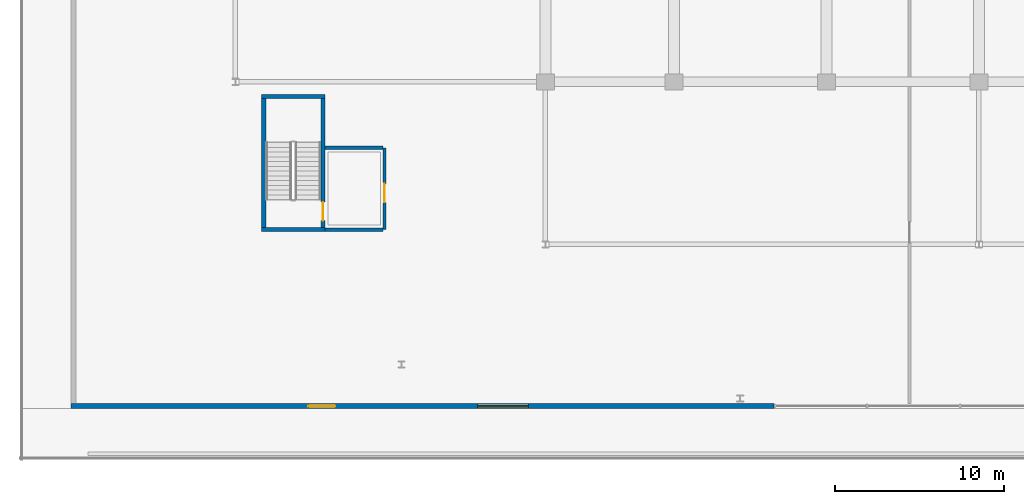
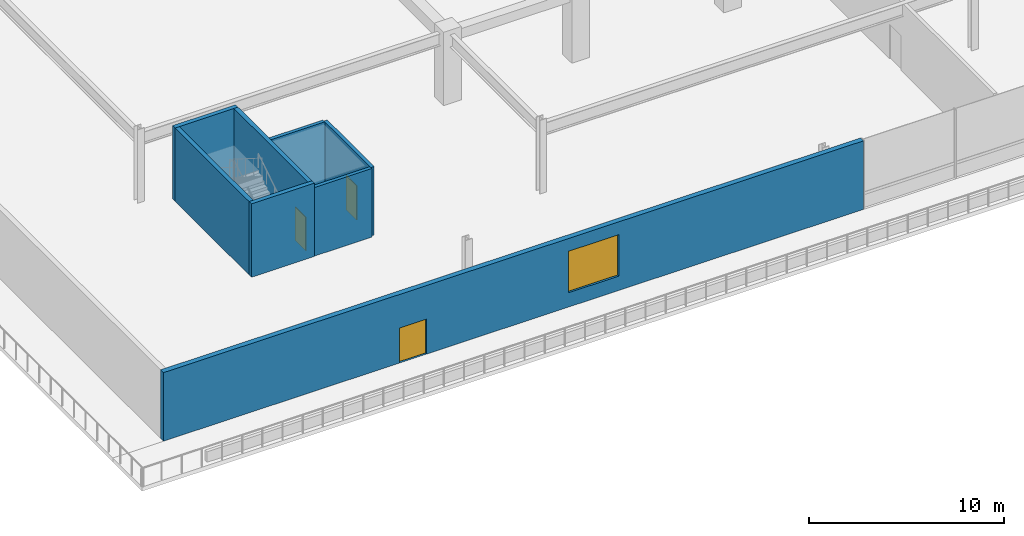
# One storey, part 18 of 45: 8 walls, 3 doors, 1 window, 4 openings.
"""IFC4 building model written with IfcOpenShell, lengths in metres."""

from ifc_helpers import new_model, si_unit, direction, frame, frame_2d, origin, place, context, subcontext, project, spatial, rectangle, extrude, material, layer, layer_set, type_object, element, fill, save


model = new_model("IFC4")

# Units and contexts
model_context = context("Model", 3, precision=1e-05, world=origin(), true_north=direction((0.0, 1.0)))
body_context = subcontext(model_context, "Body", "Model", "MODEL_VIEW")
ifc_project = project(units=[si_unit("LENGTHUNIT", "METRE"), si_unit("AREAUNIT", "SQUARE_METRE"), si_unit("VOLUMEUNIT", "CUBIC_METRE"), si_unit("PLANEANGLEUNIT", "RADIAN"), si_unit("MASSUNIT", "GRAM", prefix="KILO")], contexts=[model_context])

# Site, building, storey
site_placement = place(None, origin())
site = spatial("IfcSite", under=ifc_project, at=site_placement, CompositionType="ELEMENT")
building_placement = place(site_placement, origin())
building = spatial("IfcBuilding", under=site, at=building_placement, Name="Korimba Cascade Residences", CompositionType="ELEMENT")
storey_placement = place(building_placement, frame((0.0, 0.0, 5.39990234375)))
storey = spatial("IfcBuildingStorey", under=building, at=storey_placement, Name="L01", CompositionType="ELEMENT", Elevation=5.39990234375)

# Wall, openings, door, window
ifc_material_1 = material(Name="Precast concrete C40/50", Category="concrete")
ifc_layer_1 = layer(ifc_material_1, 0.300048828125)
ifc_layer_set_1 = layer_set([ifc_layer_1], Name="Precast concrete C40/50")
wall_type_1 = type_object("IfcWallType", Name="EW-STONE-300", PredefinedType="STANDARD", material=ifc_layer_set_1)
wall_1_placement = place(storey_placement, frame((46.5, -23.35009765625, 0.0), z_axis=(0.0, 0.0, 1.0), x_axis=(1.0, 0.0, 0.0)))
wall_1 = element("IfcWall", 1, at=wall_1_placement, inside=storey, type_object=wall_type_1, Name="L01 South-West Podium Wall", PredefinedType="STANDARD", context=body_context, shape_type="SweptSolid", body=[
    extrude(rectangle(XDim=41.5, YDim=0.300048828125, at=frame_2d((20.75, 0.0))), origin(), (0.0, 0.0, 1.0), 4.300048828125),
])
opening_1_placement = place(wall_1_placement, frame((14.0, 0.0, 0.0)))
opening_1 = element("IfcOpeningElement", 2, at=opening_1_placement, cuts=wall_1, Name="Opening D-TR1", PredefinedType="OPENING", context=body_context, shape_type="SweptSolid", body=[
    extrude(rectangle(XDim=1.60009765625, YDim=2.199951171875, at=frame_2d((0.800048828125, 1.10009765625))), frame((0.0, 0.16015625, 0.0), z_axis=(0.0, -1.0, 0.0), x_axis=(1.0, 0.0, 0.0)), (0.0, 0.0, 1.0), 0.320068359375),
])
opening_2_placement = place(wall_1_placement, frame((24.0, 0.0, 0.89990234375)))
opening_2 = element("IfcOpeningElement", 3, at=opening_2_placement, cuts=wall_1, Name="Opening W-04", PredefinedType="OPENING", context=body_context, shape_type="SweptSolid", body=[
    extrude(rectangle(XDim=3.0, YDim=2.60009765625, at=frame_2d((1.5, 1.300048828125))), frame((0.0, 0.16015625, 0.0), z_axis=(0.0, -1.0, 0.0), x_axis=(1.0, 0.0, 0.0)), (0.0, 0.0, 1.0), 0.320068359375),
])
ifc_material_2 = material(Name="Glazed Aluminium Terrace Door", Category="aluminium")
door_type_1 = type_object("IfcDoorType", Name="DR-EXT-TER", OperationType="NOTDEFINED", PredefinedType="DOOR", material=ifc_material_2)
door_1_placement = place(opening_1_placement, frame((1.60009765625, 0.0, 0.0), z_axis=(0.0, 0.0, 1.0), x_axis=(-1.0, 0.0, 0.0)))
door_1 = element("IfcDoor", 4, at=door_1_placement, inside=storey, type_object=door_type_1, Name="L01 South Terrace Access Door", OperationType="DOUBLE_DOOR_SINGLE_SWING", OverallHeight=2.199951171875, OverallWidth=1.60009765625, PredefinedType="DOOR", context=body_context, shape_type="SweptSolid", body=[
    extrude(rectangle(XDim=1.60009765625, YDim=2.199951171875, at=frame_2d((0.800048828125, 1.10009765625))), frame((0.0, 0.02490234375, 0.0), z_axis=(0.0, -1.0, 0.0), x_axis=(1.0, 0.0, 0.0)), (0.0, 0.0, 1.0), 0.050048828125),
])
fill(opening_1, door_1)
ifc_material_3 = material(Name="Double-Glazed Aluminium Window", Category="aluminium")
window_type = type_object("IfcWindowType", Name="WIN-POD-3000", PartitioningType="TRIPLE_PANEL_VERTICAL", PredefinedType="WINDOW", material=ifc_material_3)
window_placement = place(opening_2_placement, origin())
window = element("IfcWindow", 5, at=window_placement, inside=storey, type_object=window_type, Name="L01 South Podium Window", OverallHeight=2.60009765625, OverallWidth=3.0, PartitioningType="TRIPLE_PANEL_VERTICAL", PredefinedType="WINDOW", context=body_context, shape_type="SweptSolid", body=[
    extrude(rectangle(XDim=3.0, YDim=2.60009765625, at=frame_2d((1.5, 1.300048828125))), frame((0.0, 0.030029296875, 0.0), z_axis=(0.0, -1.0, 0.0), x_axis=(1.0, 0.0, 0.0)), (0.0, 0.0, 1.0), 0.06005859375),
])
fill(opening_2, window)

# Wall, opening, door
ifc_material_4 = material(Name="Concrete C40/50", Category="concrete")
ifc_layer_2 = layer(ifc_material_4, 0.199951171875)
ifc_layer_set_2 = layer_set([ifc_layer_2], Name="Concrete C40/50")
wall_type_2 = type_object("IfcWallType", Name="WAL-PART-200", PredefinedType="PARTITIONING", material=ifc_layer_set_2)
wall_2_placement = place(storey_placement, frame((65.0, -12.925048828125, 0.0), z_axis=(0.0, 0.0, 1.0), x_axis=(0.0, 1.0, 0.0)))
wall_2 = element("IfcWall", 6, at=wall_2_placement, inside=storey, type_object=wall_type_2, Name="L01 Partition Wall CW-L01-PL3E", PredefinedType="PARTITIONING", context=body_context, shape_type="SweptSolid", body=[
    extrude(rectangle(XDim=4.824951171875, YDim=0.199951171875, at=frame_2d((2.41259765625, 0.0))), origin(), (0.0, 0.0, 1.0), 4.300048828125),
])
opening_3_placement = place(wall_2_placement, frame((1.60009765625, 0.0, 0.0)))
opening_3 = element("IfcOpeningElement", 7, at=opening_3_placement, cuts=wall_2, Name="Opening D-FD6", PredefinedType="OPENING", context=body_context, shape_type="SweptSolid", body=[
    extrude(rectangle(XDim=1.10009765625, YDim=2.14990234375, at=frame_2d((0.550048828125, 1.074951171875))), frame((0.0, 0.10986328125, 0.0), z_axis=(0.0, -1.0, 0.0), x_axis=(1.0, 0.0, 0.0)), (0.0, 0.0, 1.0), 0.219970703125),
])
ifc_material_5 = material(Name="Fire-Rated Timber Stair Lobby Door", Category="wood")
door_type_2 = type_object("IfcDoorType", Name="DR-FD90-1100", OperationType="NOTDEFINED", PredefinedType="DOOR", material=ifc_material_5)
door_2_placement = place(opening_3_placement, origin())
door_2 = element("IfcDoor", 8, at=door_2_placement, inside=storey, type_object=door_type_2, Name="L01 South-West Stair Vestibule Door", OperationType="SINGLE_SWING_LEFT", OverallHeight=2.14990234375, OverallWidth=1.10009765625, PredefinedType="DOOR", context=body_context, shape_type="SweptSolid", body=[
    extrude(rectangle(XDim=1.10009765625, YDim=2.14990234375, at=frame_2d((0.550048828125, 1.074951171875))), frame((0.0, 0.02490234375, 0.0), z_axis=(0.0, -1.0, 0.0), x_axis=(1.0, 0.0, 0.0)), (0.0, 0.0, 1.0), 0.050048828125),
])
fill(opening_3, door_2)

# Walls
for number, where, z_axis, x_axis, name in (
    (9, (61.5, -12.925048828125, 0.0), (0.0, 0.0, 1.0), (1.0, 0.0, 0.0), "L01 Partition Wall CW-L01-PL3S"),
    (10, (61.5, -8.10009765625, 0.0), (0.0, 0.0, 1.0), (1.0, 0.0, 0.0), "L01 Partition Wall CW-L01-PL3N"),
):
    element("IfcWall", number, at=place(storey_placement, frame(where, z_axis=z_axis, x_axis=x_axis)), inside=storey, type_object=wall_type_2, Name=name, PredefinedType="PARTITIONING", context=body_context, shape_type="SweptSolid", body=[
        extrude(rectangle(XDim=3.39990234375, YDim=0.199951171875, at=frame_2d((1.699951171875, 0.0))), origin(), (0.0, 0.0, 1.0), 4.300048828125),
    ])
ifc_material_6 = material(Name="Concrete C50/60", Category="concrete")
ifc_layer_3 = layer(ifc_material_6, 0.25)
ifc_layer_set_3 = layer_set([ifc_layer_3], Name="Concrete C50/60")
wall_type_3 = type_object("IfcWallType", Name="WAL-SHAFT-250", PredefinedType="SHEAR", material=ifc_layer_set_3)
wall_3_placement = place(storey_placement, frame((57.875, -12.800048828125, 0.0), z_axis=(0.0, 0.0, 1.0), x_axis=(0.0, 1.0, 0.0)))
element("IfcWall", 11, at=wall_3_placement, inside=storey, type_object=wall_type_3, Name="L01 Core Shear Wall CW-L01-STP3W", PredefinedType="SHEAR", context=body_context, shape_type="SweptSolid", body=[
    extrude(rectangle(XDim=7.60009765625, YDim=0.25, at=frame_2d((3.800048828125, 0.0))), origin(), (0.0, 0.0, 1.0), 4.60009765625),
])
for number, where, z_axis, x_axis, name in (
    (12, (57.75, -12.925048828125, 0.0), (0.0, 0.0, 1.0), (1.0, 0.0, 0.0), "L01 Core Shear Wall CW-L01-STP3S"),
    (13, (57.75, -5.074951171875, 0.0), (0.0, 0.0, 1.0), (1.0, 0.0, 0.0), "L01 Core Shear Wall CW-L01-STP3N"),
):
    element("IfcWall", number, at=place(storey_placement, frame(where, z_axis=z_axis, x_axis=x_axis)), inside=storey, type_object=wall_type_3, Name=name, PredefinedType="SHEAR", context=body_context, shape_type="SweptSolid", body=[
        extrude(rectangle(XDim=3.739990234375, YDim=0.25, at=frame_2d((1.8701171875, 0.0))), origin(), (0.0, 0.0, 1.0), 4.60009765625),
    ])

# Wall, opening, door
wall_4_placement = place(storey_placement, frame((61.364990234375, -12.800048828125, 0.0), z_axis=(0.0, 0.0, 1.0), x_axis=(0.0, 1.0, 0.0)))
wall_4 = element("IfcWall", 14, at=wall_4_placement, inside=storey, type_object=wall_type_3, Name="L01 Core Shear Wall CW-L01-STP3E", PredefinedType="SHEAR", context=body_context, shape_type="SweptSolid", body=[
    extrude(rectangle(XDim=7.60009765625, YDim=0.25, at=frame_2d((3.800048828125, 0.0))), origin(), (0.0, 0.0, 1.0), 4.60009765625),
])
opening_4_placement = place(wall_4_placement, frame((0.39990234375, 0.0, 0.0)))
opening_4 = element("IfcOpeningElement", 15, at=opening_4_placement, cuts=wall_4, Name="Opening D-FD1", PredefinedType="OPENING", context=body_context, shape_type="SweptSolid", body=[
    extrude(rectangle(XDim=1.10009765625, YDim=2.10009765625, at=frame_2d((0.550048828125, 1.050048828125))), frame((0.0, 0.135009765625, 0.0), z_axis=(0.0, -1.0, 0.0), x_axis=(1.0, 0.0, 0.0)), (0.0, 0.0, 1.0), 0.27001953125),
])
ifc_material_7 = material(Name="Fire-Rated Steel Core Door", Category="steel")
door_type_3 = type_object("IfcDoorType", Name="DR-FD120-1100", OperationType="NOTDEFINED", PredefinedType="DOOR", material=ifc_material_7)
door_3_placement = place(opening_4_placement, origin())
door_3 = element("IfcDoor", 16, at=door_3_placement, inside=storey, type_object=door_type_3, Name="L01 Podium Stair ST-P3 Door", OperationType="SINGLE_SWING_RIGHT", OverallHeight=2.10009765625, OverallWidth=1.10009765625, PredefinedType="DOOR", context=body_context, shape_type="SweptSolid", body=[
    extrude(rectangle(XDim=1.10009765625, YDim=2.10009765625, at=frame_2d((0.550048828125, 1.050048828125))), frame((0.0, 0.02490234375, 0.0), z_axis=(0.0, -1.0, 0.0), x_axis=(1.0, 0.0, 0.0)), (0.0, 0.0, 1.0), 0.050048828125),
])
fill(opening_4, door_3)

save(model, "model.ifc")
